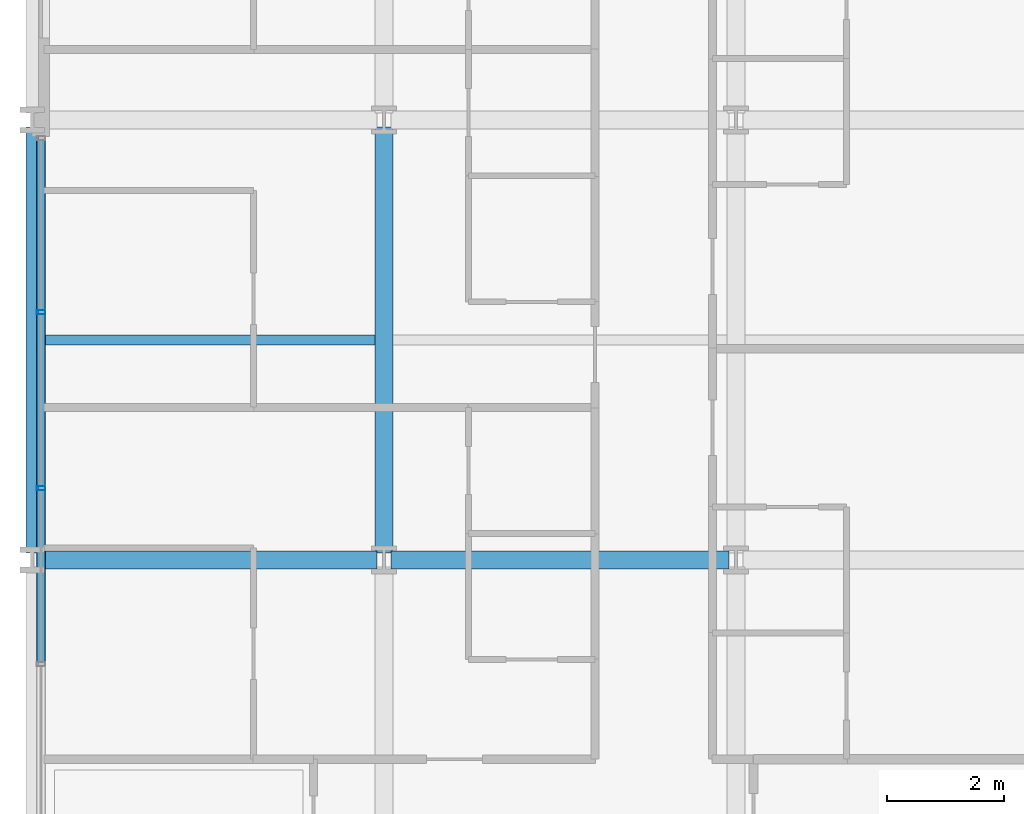
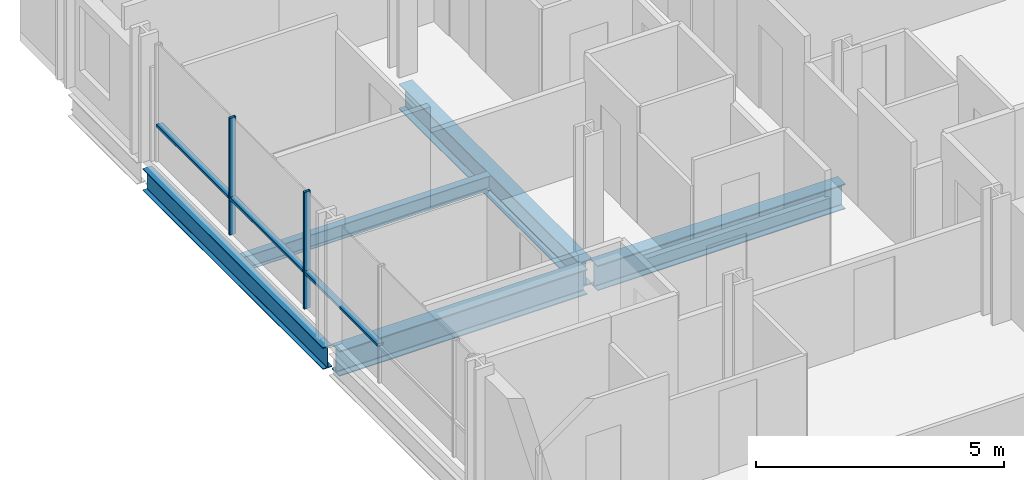
# One storey, part 5 of 40: 5 beams, 5 members, 1 element without a shape of its own.
"""IFC4 building model written with IfcOpenShell, lengths in metres."""

from ifc_helpers import new_model, si_unit, direction, frame, origin, origin_2d, place, context, subcontext, project, spatial, hollow_rectangle, i_section, extrude, material, layer, layer_set, material_profile, profile_set, type_object, element, aggregate, save


model = new_model("IFC4")

# Units and contexts
model_context = context("Model", 3, precision=1e-05, world=origin(), true_north=direction((0.0, 1.0)))
body_context = subcontext(model_context, "Body", "Model", "MODEL_VIEW")
ifc_project = project(units=[si_unit("LENGTHUNIT", "METRE"), si_unit("AREAUNIT", "SQUARE_METRE"), si_unit("VOLUMEUNIT", "CUBIC_METRE"), si_unit("PLANEANGLEUNIT", "RADIAN"), si_unit("MASSUNIT", "GRAM", prefix="KILO")], contexts=[model_context])

# Site, building, storey
site_placement = place(None, origin())
site = spatial("IfcSite", under=ifc_project, at=site_placement, CompositionType="ELEMENT")
building_placement = place(site_placement, origin())
building = spatial("IfcBuilding", under=site, at=building_placement, Name="Brevholm Reach", CompositionType="ELEMENT")
storey_placement = place(building_placement, frame((0.0, 0.0, 31.10009765625)))
storey = spatial("IfcBuildingStorey", under=building, at=storey_placement, Name="L07", CompositionType="ELEMENT", Elevation=31.10009765625)

# Beams
ifc_material_1 = material(Name="Structural Steel S355J2", Category="steel")
ifc_material_profile_1 = material_profile(ifc_material_1, i_section(OverallWidth=0.17138671875, OverallDepth=0.35498046875, WebThickness=0.00732421875, FlangeThickness=0.011474609375, FilletRadius=0.01025390625, at=origin_2d()), Name="UKB 356x171x51")
ifc_profile_set_1 = profile_set([ifc_material_profile_1], Name="Structural Steel S355J2")
beam_type_1 = type_object("IfcBeamType", Name="BM-B356", PredefinedType="BEAM", material=ifc_profile_set_1)
beam_1_placement = place(storey_placement, frame((0.10546875, 19.75, -0.40771484375), z_axis=(1.0, 0.0, 0.0), x_axis=(0.0, 1.0, 0.0)))
element("IfcBeam", 1, at=beam_1_placement, inside=storey, type_object=beam_type_1, Name="L07 Composite Secondary Floor Beam", PredefinedType="BEAM", context=body_context, shape_type="SweptSolid", body=[
    extrude(i_section(OverallWidth=0.17138671875, OverallDepth=0.35498046875, WebThickness=0.00732421875, FlangeThickness=0.011474609375, FilletRadius=0.01025390625, at=origin_2d()), origin(), (0.0, 0.0, 1.0), 5.740966796875),
])
ifc_material_2 = material(Name="Structural Steel S355J2", Category="steel")
ifc_material_profile_2 = material_profile(ifc_material_2, i_section(OverallWidth=0.210693359375, OverallDepth=0.53955078125, WebThickness=0.01171875, FlangeThickness=0.018798828125, FilletRadius=0.0126953125, at=origin_2d()), Name="UKB 533x210x109")
ifc_profile_set_2 = profile_set([ifc_material_profile_2], Name="Structural Steel S355J2")
beam_type_2 = type_object("IfcBeamType", Name="BM-SP539", PredefinedType="SPANDREL", material=ifc_profile_set_2)
beam_2_placement = place(storey_placement, frame((0.0, 16.1201171875, -0.499755859375), z_axis=(0.0, 1.0, 0.0), x_axis=(-1.0, 0.0, 0.0)))
element("IfcBeam", 2, at=beam_2_placement, inside=storey, type_object=beam_type_2, Name="L07 SP-01B Framing Beam", PredefinedType="SPANDREL", context=body_context, shape_type="SweptSolid", body=[
    extrude(i_section(OverallWidth=0.210693359375, OverallDepth=0.53955078125, WebThickness=0.01171875, FlangeThickness=0.018798828125, FilletRadius=0.0126953125, at=origin_2d()), origin(), (0.0, 0.0, 1.0), 7.259765625),
])
ifc_material_3 = material(Name="Structural Steel S355J2", Category="steel")
ifc_material_profile_3 = material_profile(ifc_material_3, i_section(OverallWidth=0.30712890625, OverallDepth=0.6201171875, WebThickness=0.01416015625, FlangeThickness=0.023681640625, FilletRadius=0.0166015625, at=origin_2d()), Name="UKB 610x305x179")
ifc_profile_set_3 = profile_set([ifc_material_profile_3], Name="Structural Steel S355J2")
beam_type_3 = type_object("IfcBeamType", Name="BM-UKB610H", PredefinedType="USERDEFINED", material=ifc_profile_set_3)
for number, where, z_axis, x_axis, name in (
    (3, (0.1201171875, 16.0, -0.540283203125), (1.0, 0.0, 0.0), (0.0, 1.0, 0.0), "L07 G-06 Framing Beam"),
    (4, (6.1201171875, 16.0, -0.540283203125), (1.0, 0.0, 0.0), (0.0, 1.0, 0.0), "L07 G-06 Framing Beam"),
):
    element("IfcBeam", number, at=place(storey_placement, frame(where, z_axis=z_axis, x_axis=x_axis)), inside=storey, type_object=beam_type_3, Name=name, ObjectType="GIRDER", PredefinedType="USERDEFINED", context=body_context, shape_type="SweptSolid", body=[
        extrude(i_section(OverallWidth=0.30712890625, OverallDepth=0.6201171875, WebThickness=0.01416015625, FlangeThickness=0.023681640625, FilletRadius=0.0166015625, at=origin_2d()), origin(), (0.0, 0.0, 1.0), 5.759765625),
    ])
beam_3_placement = place(storey_placement, frame((6.0, 16.1201171875, -0.540283203125), z_axis=(0.0, 1.0, 0.0), x_axis=(-1.0, 0.0, 0.0)))
element("IfcBeam", 5, at=beam_3_placement, inside=storey, type_object=beam_type_3, Name="L07 G-06 Framing Beam", ObjectType="GIRDER", PredefinedType="USERDEFINED", context=body_context, shape_type="SweptSolid", body=[
    extrude(i_section(OverallWidth=0.30712890625, OverallDepth=0.6201171875, WebThickness=0.01416015625, FlangeThickness=0.023681640625, FilletRadius=0.0166015625, at=origin_2d()), origin(), (0.0, 0.0, 1.0), 7.259765625),
])

# Curtain wall, members
ifc_material_4 = material(Name="Dark Anodised Aluminium 6063-T6 and Solar-Control Glass", Category="aluminium")
ifc_layer = layer(ifc_material_4, 0.14990234375)
ifc_layer_set = layer_set([ifc_layer], Name="Dark Anodised Aluminium 6063-T6 and Solar-Control Glass")
curtain_wall_type = type_object("IfcCurtainWallType", Name="CW-01", PredefinedType="NOTDEFINED", material=ifc_layer_set)
curtain_wall_placement = place(storey_placement, origin())
curtain_wall = element("IfcCurtainWall", 6, at=curtain_wall_placement, inside=storey, type_object=curtain_wall_type, Name="L07 Curtain Wall CW-01", PredefinedType="NOTDEFINED")
ifc_material_5 = material(Name="Dark Anodised Aluminium 6063-T6", Category="aluminium")
ifc_material_profile_4 = material_profile(ifc_material_5, hollow_rectangle(XDim=0.06494140625, YDim=0.14990234375, WallThickness=0.0048828125, InnerFilletRadius=0.0048828125, OuterFilletRadius=0.010009765625, at=origin_2d()), Name="RHS 150x65x5")
ifc_profile_set_4 = profile_set([ifc_material_profile_4], Name="Dark Anodised Aluminium 6063-T6")
member_type_1 = type_object("IfcMemberType", Name="CWM-150", PredefinedType="MULLION", material=ifc_profile_set_4)
member_1_placement = place(storey_placement, frame((0.14990234375, 20.219970703125, 0.0), z_axis=(0.0, 0.0, 1.0), x_axis=(0.0, -1.0, 0.0)))
member_1 = element("IfcMember", 7, at=member_1_placement, type_object=member_type_1, Name="CM-150 Mullion 2", PredefinedType="MULLION", context=body_context, shape_type="SweptSolid", body=[
    extrude(hollow_rectangle(XDim=0.06494140625, YDim=0.14990234375, WallThickness=0.0048828125, InnerFilletRadius=0.0048828125, OuterFilletRadius=0.010009765625, at=origin_2d()), origin(), (0.0, 0.0, 1.0), 2.869873046875),
])
member_2_placement = place(storey_placement, frame((0.14990234375, 17.219970703125, 0.0), z_axis=(0.0, 0.0, 1.0), x_axis=(0.0, -1.0, 0.0)))
member_2 = element("IfcMember", 8, at=member_2_placement, type_object=member_type_1, Name="CM-150 Mullion 3", PredefinedType="MULLION", context=body_context, shape_type="SweptSolid", body=[
    extrude(hollow_rectangle(XDim=0.06494140625, YDim=0.14990234375, WallThickness=0.0048828125, InnerFilletRadius=0.0048828125, OuterFilletRadius=0.010009765625, at=origin_2d()), origin(), (0.0, 0.0, 1.0), 2.869873046875),
])
ifc_material_6 = material(Name="Dark Anodised Aluminium 6063-T6", Category="aluminium")
ifc_material_profile_5 = material_profile(ifc_material_6, hollow_rectangle(XDim=0.06494140625, YDim=0.14990234375, WallThickness=0.0048828125, InnerFilletRadius=0.0048828125, OuterFilletRadius=0.010009765625, at=origin_2d()), Name="RHS 150x65x5")
ifc_profile_set_5 = profile_set([ifc_material_profile_5], Name="Dark Anodised Aluminium 6063-T6")
member_type_2 = type_object("IfcMemberType", Name="CWT-150", PredefinedType="NOTDEFINED", material=ifc_profile_set_5)
member_3_placement = place(storey_placement, frame((0.14990234375, 23.155029296875, 0.89990234375), z_axis=(0.0, -1.0, 0.0), x_axis=(0.0, 0.0, 1.0)))
member_3 = element("IfcMember", 9, at=member_3_placement, type_object=member_type_2, Name="CT-150 Transom 1.1", ObjectType="TRANSOM", PredefinedType="USERDEFINED", context=body_context, shape_type="SweptSolid", body=[
    extrude(hollow_rectangle(XDim=0.06494140625, YDim=0.14990234375, WallThickness=0.0048828125, InnerFilletRadius=0.0048828125, OuterFilletRadius=0.010009765625, at=origin_2d()), origin(), (0.0, 0.0, 1.0), 2.902587890625),
])
member_4_placement = place(storey_placement, frame((0.14990234375, 20.1875, 0.89990234375), z_axis=(0.0, -1.0, 0.0), x_axis=(0.0, 0.0, 1.0)))
member_4 = element("IfcMember", 10, at=member_4_placement, type_object=member_type_2, Name="CT-150 Transom 2.1", ObjectType="TRANSOM", PredefinedType="USERDEFINED", context=body_context, shape_type="SweptSolid", body=[
    extrude(hollow_rectangle(XDim=0.06494140625, YDim=0.14990234375, WallThickness=0.0048828125, InnerFilletRadius=0.0048828125, OuterFilletRadius=0.010009765625, at=origin_2d()), origin(), (0.0, 0.0, 1.0), 2.93505859375),
])
member_5_placement = place(storey_placement, frame((0.14990234375, 17.1875, 0.89990234375), z_axis=(0.0, -1.0, 0.0), x_axis=(0.0, 0.0, 1.0)))
member_5 = element("IfcMember", 11, at=member_5_placement, type_object=member_type_2, Name="CT-150 Transom 3.1", ObjectType="TRANSOM", PredefinedType="USERDEFINED", context=body_context, shape_type="SweptSolid", body=[
    extrude(hollow_rectangle(XDim=0.06494140625, YDim=0.14990234375, WallThickness=0.0048828125, InnerFilletRadius=0.0048828125, OuterFilletRadius=0.010009765625, at=origin_2d()), origin(), (0.0, 0.0, 1.0), 2.93505859375),
])
aggregate(curtain_wall, [member_1, member_2, member_3, member_4, member_5])

save(model, "model.ifc")
